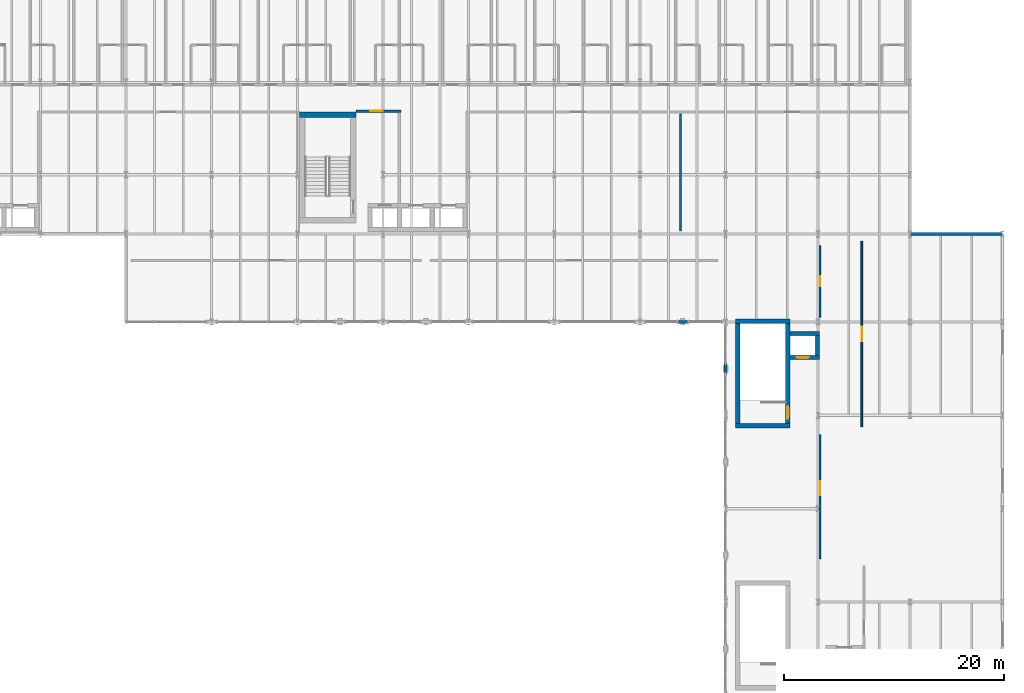
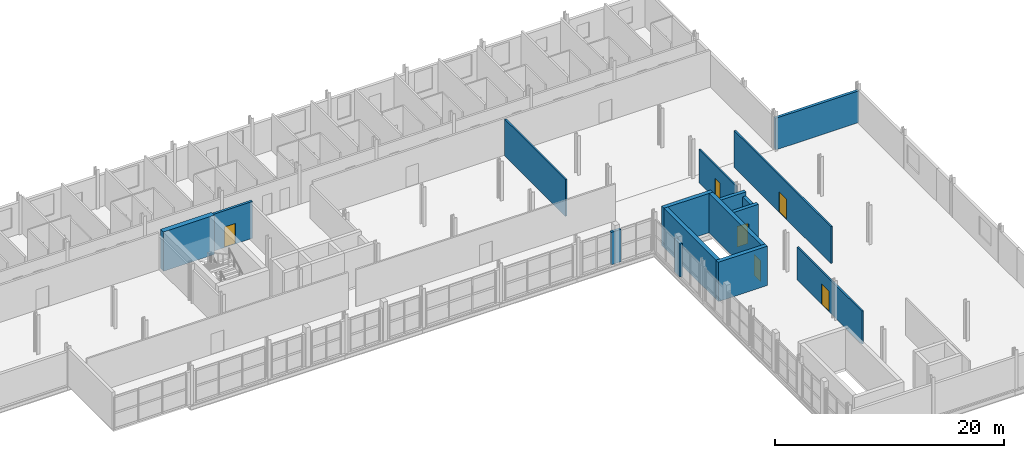
# One storey, part 35 of 45: 16 walls, 6 doors, 6 openings.
"""IFC4 building model written with IfcOpenShell, lengths in metres."""

from ifc_helpers import new_model, si_unit, direction, frame, frame_2d, origin, place, context, subcontext, project, spatial, rectangle, extrude, material, layer, layer_set, type_object, element, fill, save


model = new_model("IFC4")

# Units and contexts
model_context = context("Model", 3, precision=1e-05, world=origin(), true_north=direction((0.0, 1.0)))
body_context = subcontext(model_context, "Body", "Model", "MODEL_VIEW")
ifc_project = project(units=[si_unit("LENGTHUNIT", "METRE"), si_unit("AREAUNIT", "SQUARE_METRE"), si_unit("VOLUMEUNIT", "CUBIC_METRE"), si_unit("PLANEANGLEUNIT", "RADIAN"), si_unit("MASSUNIT", "GRAM", prefix="KILO")], contexts=[model_context])

# Site, building, storey
site_placement = place(None, origin())
site = spatial("IfcSite", under=ifc_project, at=site_placement, CompositionType="ELEMENT")
building_placement = place(site_placement, origin())
building = spatial("IfcBuilding", under=site, at=building_placement, Name="Sefraquen Railside Congress Hotel", CompositionType="ELEMENT")
storey_placement = place(building_placement, frame((0.0, 0.0, 20.39990234375)))
storey = spatial("IfcBuildingStorey", under=building, at=storey_placement, Name="L04", CompositionType="ELEMENT", Elevation=20.39990234375)

# Wall
ifc_material_1 = material(Name="Concrete C50/60", Category="concrete")
ifc_layer_1 = layer(ifc_material_1, 0.35009765625)
ifc_layer_set_1 = layer_set([ifc_layer_1], Name="Concrete C50/60")
wall_type_1 = type_object("IfcWallType", Name="TW-CW-350", PredefinedType="SHEAR", material=ifc_layer_set_1)
wall_1_placement = place(storey_placement, frame((109.06005859375, 86.945068359375, 0.0), z_axis=(0.0, 0.0, 1.0), x_axis=(1.0, 0.0, 0.0)))
element("IfcWall", 1, at=wall_1_placement, inside=storey, type_object=wall_type_1, Name="Lift PL-07 shaft wall N L04", PredefinedType="SHEAR", context=body_context, shape_type="SweptSolid", body=[
    extrude(rectangle(XDim=2.68994140625, YDim=0.35009765625, at=frame_2d((1.344970703125, 0.0))), origin(), (0.0, 0.0, 1.0), 3.940185546875),
])

# Wall, opening, door
wall_2_placement = place(storey_placement, frame((109.06005859375, 84.7548828125, 0.0), z_axis=(0.0, 0.0, 1.0), x_axis=(1.0, 0.0, 0.0)))
wall_2 = element("IfcWall", 2, at=wall_2_placement, inside=storey, type_object=wall_type_1, Name="Lift PL-07 shaft wall S L04", PredefinedType="SHEAR", context=body_context, shape_type="SweptSolid", body=[
    extrude(rectangle(XDim=2.68994140625, YDim=0.35009765625, at=frame_2d((1.344970703125, 0.0))), origin(), (0.0, 0.0, 1.0), 3.940185546875),
])
opening_1_placement = place(wall_2_placement, frame((0.6201171875, 0.0, 0.0)))
opening_1 = element("IfcOpeningElement", 3, at=opening_1_placement, cuts=wall_2, Name="Opening LD-01", PredefinedType="OPENING", context=body_context, shape_type="SweptSolid", body=[
    extrude(rectangle(XDim=1.10009765625, YDim=2.199951171875, at=frame_2d((0.550048828125, 1.10009765625))), frame((0.0, 0.18505859375, 0.0), z_axis=(0.0, -1.0, 0.0), x_axis=(1.0, 0.0, 0.0)), (0.0, 0.0, 1.0), 0.3701171875),
])
ifc_material_2 = material(Name="Brushed bronze stainless steel", Category="steel")
door_type_1 = type_object("IfcDoorType", Name="TD-LD-01", OperationType="NOTDEFINED", PredefinedType="DOOR", material=ifc_material_2)
door_1_placement = place(opening_1_placement, origin())
door_1 = element("IfcDoor", 4, at=door_1_placement, inside=storey, type_object=door_type_1, Name="Lift landing door PL-07 L04", OperationType="SLIDING_TO_LEFT", OverallHeight=2.199951171875, OverallWidth=1.10009765625, PredefinedType="DOOR", context=body_context, shape_type="SweptSolid", body=[
    extrude(rectangle(XDim=1.10009765625, YDim=2.199951171875, at=frame_2d((0.550048828125, 1.10009765625))), frame((0.0, 0.02490234375, 0.0), z_axis=(0.0, -1.0, 0.0), x_axis=(1.0, 0.0, 0.0)), (0.0, 0.0, 1.0), 0.050048828125),
])
fill(opening_1, door_1)

# Walls
wall_3_placement = place(storey_placement, frame((111.574951171875, 84.929931640625, 0.0), z_axis=(0.0, 0.0, 1.0), x_axis=(0.0, 1.0, 0.0)))
element("IfcWall", 5, at=wall_3_placement, inside=storey, type_object=wall_type_1, Name="Lift PL-07 shaft wall E L04", PredefinedType="SHEAR", context=body_context, shape_type="SweptSolid", body=[
    extrude(rectangle(XDim=1.840087890625, YDim=0.35009765625, at=frame_2d((0.919921875, 0.0))), origin(), (0.0, 0.0, 1.0), 3.530029296875),
])
ifc_layer_2 = layer(ifc_material_1, 0.39990234375)
ifc_layer_set_2 = layer_set([ifc_layer_2], Name="Concrete C50/60")
wall_type_2 = type_object("IfcWallType", Name="TW-CW-400", PredefinedType="SHEAR", material=ifc_layer_set_2)
for number, where, z_axis, x_axis, name in (
    (6, (104.10009765625, 88.06201171875, 0.0), (0.0, 0.0, 1.0), (1.0, 0.0, 0.0), "Core shear wall ST-M01 N L04"),
    (7, (104.10009765625, 78.550048828125, 0.0), (0.0, 0.0, 1.0), (1.0, 0.0, 0.0), "Core shear wall ST-M01 S L04"),
):
    element("IfcWall", number, at=place(storey_placement, frame(where, z_axis=z_axis, x_axis=x_axis)), inside=storey, type_object=wall_type_2, Name=name, PredefinedType="SHEAR", context=body_context, shape_type="SweptSolid", body=[
        extrude(rectangle(XDim=4.9599609375, YDim=0.39990234375, at=frame_2d((2.47998046875, 0.0))), origin(), (0.0, 0.0, 1.0), 4.2001953125),
    ])
wall_4_placement = place(storey_placement, frame((104.300048828125, 78.75, 0.0), z_axis=(0.0, 0.0, 1.0), x_axis=(0.0, 1.0, 0.0)))
element("IfcWall", 8, at=wall_4_placement, inside=storey, type_object=wall_type_2, Name="Core shear wall ST-M01 W L04", PredefinedType="SHEAR", context=body_context, shape_type="SweptSolid", body=[
    extrude(rectangle(XDim=9.112060546875, YDim=0.39990234375, at=frame_2d((4.55615234375, 0.0))), origin(), (0.0, 0.0, 1.0), 4.2001953125),
])

# Wall, opening, door
wall_5_placement = place(storey_placement, frame((108.860107421875, 78.75, 0.0), z_axis=(0.0, 0.0, 1.0), x_axis=(0.0, 1.0, 0.0)))
wall_5 = element("IfcWall", 9, at=wall_5_placement, inside=storey, type_object=wall_type_2, Name="Core shear wall ST-M01 E L04", PredefinedType="SHEAR", context=body_context, shape_type="SweptSolid", body=[
    extrude(rectangle(XDim=9.112060546875, YDim=0.39990234375, at=frame_2d((4.55615234375, 0.0))), origin(), (0.0, 0.0, 1.0), 4.2001953125),
])
opening_2_placement = place(wall_5_placement, frame((0.43994140625, 0.0, 0.0)))
opening_2 = element("IfcOpeningElement", 10, at=opening_2_placement, cuts=wall_5, Name="Opening FD-04", PredefinedType="OPENING", context=body_context, shape_type="SweptSolid", body=[
    extrude(rectangle(XDim=1.10009765625, YDim=2.199951171875, at=frame_2d((0.550048828125, 1.10009765625))), frame((0.0, 0.2099609375, 0.0), z_axis=(0.0, -1.0, 0.0), x_axis=(1.0, 0.0, 0.0)), (0.0, 0.0, 1.0), 0.419921875),
])
ifc_material_3 = material(Name="Fire-rated steel", Category="steel")
door_type_2 = type_object("IfcDoorType", Name="TD-FD-04", OperationType="NOTDEFINED", PredefinedType="DOOR", material=ifc_material_3)
door_2_placement = place(opening_2_placement, origin())
door_2 = element("IfcDoor", 11, at=door_2_placement, inside=storey, type_object=door_type_2, Name="Pressurized stair ST-M01 fire door L04", OperationType="SINGLE_SWING_RIGHT", OverallHeight=2.199951171875, OverallWidth=1.10009765625, PredefinedType="DOOR", context=body_context, shape_type="SweptSolid", body=[
    extrude(rectangle(XDim=1.10009765625, YDim=2.199951171875, at=frame_2d((0.550048828125, 1.10009765625))), frame((0.0, 0.02490234375, 0.0), z_axis=(0.0, -1.0, 0.0), x_axis=(1.0, 0.0, 0.0)), (0.0, 0.0, 1.0), 0.050048828125),
])
fill(opening_2, door_2)

# Walls
ifc_layer_3 = layer(ifc_material_1, 0.5)
ifc_layer_set_3 = layer_set([ifc_layer_3], Name="Concrete C50/60")
wall_type_3 = type_object("IfcWallType", Name="TW-CW-500", PredefinedType="SHEAR", material=ifc_layer_set_3)
wall_6_placement = place(storey_placement, frame((64.39990234375, 106.862060546875, 0.0), z_axis=(0.0, 0.0, 1.0), x_axis=(1.0, 0.0, 0.0)))
element("IfcWall", 12, at=wall_6_placement, inside=storey, type_object=wall_type_3, Name="Core shear wall ST-H03 N L04", PredefinedType="SHEAR", context=body_context, shape_type="SweptSolid", body=[
    extrude(rectangle(XDim=5.16015625, YDim=0.5, at=frame_2d((2.580078125, 0.0))), origin(), (0.0, 0.0, 1.0), 4.2001953125),
])
ifc_material_4 = material(Name="Ochre Rabat calcarenite limestone and Concrete C40/50 backing", Category="masonry")
ifc_layer_4 = layer(ifc_material_4, 0.280029296875)
ifc_layer_set_4 = layer_set([ifc_layer_4], Name="Ochre Rabat calcarenite limestone and Concrete C40/50 backing")
wall_type_4 = type_object("IfcWallType", Name="TW-EW-280", PredefinedType="STANDARD", material=ifc_layer_set_4)
wall_7_placement = place(storey_placement, frame((98.820068359375, 88.0, 0.0), z_axis=(0.0, 0.0, 1.0), x_axis=(1.0, 0.0, 0.0)))
element("IfcWall", 13, at=wall_7_placement, inside=storey, type_object=wall_type_4, Name="Meeting Wing L04 courtyard north curtain wall 3 column pier closure 3", PredefinedType="STANDARD", context=body_context, shape_type="SweptSolid", body=[
    extrude(rectangle(XDim=0.9599609375, YDim=0.260009765625, at=frame_2d((0.47998046875, 0.0))), origin(), (0.0, 0.0, 1.0), 3.47998046875),
])
wall_8_placement = place(storey_placement, frame((103.199951171875, 83.27001953125, 0.0), z_axis=(0.0, 0.0, 1.0), x_axis=(0.0, 1.0, 0.0)))
element("IfcWall", 14, at=wall_8_placement, inside=storey, type_object=wall_type_4, Name="Meeting Wing L04 courtyard east curtain wall column pier closure 3", PredefinedType="STANDARD", context=body_context, shape_type="SweptSolid", body=[
    extrude(rectangle(XDim=0.9599609375, YDim=0.260009765625, at=frame_2d((0.47998046875, 0.0))), origin(), (0.0, 0.0, 1.0), 3.530029296875),
])
wall_9_placement = place(storey_placement, frame((120.0, 96.0, 0.0), z_axis=(0.0, 0.0, 1.0), x_axis=(1.0, 0.0, 0.0)))
element("IfcWall", 15, at=wall_9_placement, inside=storey, type_object=wall_type_4, Name="Meeting Wing L04 north return wall", PredefinedType="STANDARD", context=body_context, shape_type="SweptSolid", body=[
    extrude(rectangle(XDim=8.39990234375, YDim=0.280029296875, at=frame_2d((4.199951171875, 0.0))), origin(), (0.0, 0.0, 1.0), 3.380126953125),
])

# Wall, opening, door
ifc_material_5 = material(Name="Concrete C40/50", Category="concrete")
ifc_layer_5 = layer(ifc_material_5, 0.239990234375)
ifc_layer_set_5 = layer_set([ifc_layer_5], Name="Concrete C40/50")
wall_type_5 = type_object("IfcWallType", Name="TW-FW-240", PredefinedType="STANDARD", material=ifc_layer_set_5)
wall_10_placement = place(storey_placement, frame((69.56005859375, 107.199951171875, 0.0), z_axis=(0.0, 0.0, 1.0), x_axis=(1.0, 0.0, 0.0)))
wall_10 = element("IfcWall", 16, at=wall_10_placement, inside=storey, type_object=wall_type_5, Name="Firefighting Lift Lobby FFL-03 EI 120 separation wall L04", PredefinedType="STANDARD", context=body_context, shape_type="SweptSolid", body=[
    extrude(rectangle(XDim=4.099853515625, YDim=0.239990234375, at=frame_2d((2.0498046875, 0.0))), origin(), (0.0, 0.0, 1.0), 3.940185546875),
])
opening_3_placement = place(wall_10_placement, frame((1.300048828125, 0.0, 0.0)))
opening_3 = element("IfcOpeningElement", 17, at=opening_3_placement, cuts=wall_10, Name="Opening FD-04", PredefinedType="OPENING", context=body_context, shape_type="SweptSolid", body=[
    extrude(rectangle(XDim=1.10009765625, YDim=2.199951171875, at=frame_2d((0.550048828125, 1.10009765625))), frame((0.0, 0.1298828125, 0.0), z_axis=(0.0, -1.0, 0.0), x_axis=(1.0, 0.0, 0.0)), (0.0, 0.0, 1.0), 0.260009765625),
])
door_3_placement = place(opening_3_placement, origin())
door_3 = element("IfcDoor", 18, at=door_3_placement, inside=storey, type_object=door_type_2, Name="Firefighting Lift Lobby FFL-03 self-closing fire door L04", OperationType="SINGLE_SWING_RIGHT", OverallHeight=2.199951171875, OverallWidth=1.10009765625, PredefinedType="DOOR", context=body_context, shape_type="SweptSolid", body=[
    extrude(rectangle(XDim=1.10009765625, YDim=2.199951171875, at=frame_2d((0.550048828125, 1.10009765625))), frame((0.0, 0.02490234375, 0.0), z_axis=(0.0, -1.0, 0.0), x_axis=(1.0, 0.0, 0.0)), (0.0, 0.0, 1.0), 0.050048828125),
])
fill(opening_3, door_3)

# Wall
ifc_material_6 = material(Name="Moisture-resistant gypsum board", Category="gypsum")
ifc_layer_6 = layer(ifc_material_6, 0.159912109375)
ifc_layer_set_6 = layer_set([ifc_layer_6], Name="Moisture-resistant gypsum board")
wall_type_6 = type_object("IfcWallType", Name="TW-PW-160", PredefinedType="PARTITIONING", material=ifc_layer_set_6)
wall_11_placement = place(storey_placement, frame((99.10009765625, 96.300048828125, 0.0), z_axis=(0.0, 0.0, 1.0), x_axis=(0.0, 1.0, 0.0)))
element("IfcWall", 19, at=wall_11_placement, inside=storey, type_object=wall_type_6, Name="Breakout seminar divider L04", PredefinedType="PARTITIONING", context=body_context, shape_type="SweptSolid", body=[
    extrude(rectangle(XDim=10.599853515625, YDim=0.159912109375, at=frame_2d((5.2998046875, 0.0))), origin(), (0.0, 0.0, 1.0), 3.940185546875),
])

# Wall, opening, door
wall_12_placement = place(storey_placement, frame((111.800048828125, 66.449951171875, 0.0), z_axis=(0.0, 0.0, 1.0), x_axis=(0.0, 1.0, 0.0)))
wall_12 = element("IfcWall", 20, at=wall_12_placement, inside=storey, type_object=wall_type_6, Name="Seminar Suite 07 enclosure wall", PredefinedType="PARTITIONING", context=body_context, shape_type="SweptSolid", body=[
    extrude(rectangle(XDim=11.300048828125, YDim=0.159912109375, at=frame_2d((5.64990234375, 0.0))), origin(), (0.0, 0.0, 1.0), 3.530029296875),
])
opening_4_placement = place(wall_12_placement, frame((5.75, 0.0, 0.0)))
opening_4 = element("IfcOpeningElement", 21, at=opening_4_placement, cuts=wall_12, Name="Opening MD-02", PredefinedType="OPENING", context=body_context, shape_type="SweptSolid", body=[
    extrude(rectangle(XDim=1.300048828125, YDim=2.199951171875, at=frame_2d((0.64990234375, 1.10009765625))), frame((0.0, 0.08984375, 0.0), z_axis=(0.0, -1.0, 0.0), x_axis=(1.0, 0.0, 0.0)), (0.0, 0.0, 1.0), 0.179931640625),
])
ifc_material_7 = material(Name="Acoustic cedar veneer", Category="wood")
door_type_3 = type_object("IfcDoorType", Name="TD-MD-02", OperationType="NOTDEFINED", PredefinedType="DOOR", material=ifc_material_7)
door_4_placement = place(opening_4_placement, origin())
door_4 = element("IfcDoor", 22, at=door_4_placement, inside=storey, type_object=door_type_3, Name="Seminar Suite 07 entrance door", OperationType="SINGLE_SWING_RIGHT", OverallHeight=2.199951171875, OverallWidth=1.300048828125, PredefinedType="DOOR", context=body_context, shape_type="SweptSolid", body=[
    extrude(rectangle(XDim=1.300048828125, YDim=2.199951171875, at=frame_2d((0.64990234375, 1.10009765625))), frame((0.0, 0.02490234375, 0.0), z_axis=(0.0, -1.0, 0.0), x_axis=(1.0, 0.0, 0.0)), (0.0, 0.0, 1.0), 0.050048828125),
])
fill(opening_4, door_4)

wall_13_placement = place(storey_placement, frame((115.60009765625, 78.449951171875, 0.0), z_axis=(0.0, 0.0, 1.0), x_axis=(0.0, 1.0, 0.0)))
wall_13 = element("IfcWall", 23, at=wall_13_placement, inside=storey, type_object=wall_type_6, Name="Seminar Suite 08 enclosure wall", PredefinedType="PARTITIONING", context=body_context, shape_type="SweptSolid", body=[
    extrude(rectangle(XDim=16.900146484375, YDim=0.159912109375, at=frame_2d((8.4501953125, 0.0))), origin(), (0.0, 0.0, 1.0), 3.940185546875),
])
opening_5_placement = place(wall_13_placement, frame((7.800048828125, 0.0, 0.0)))
opening_5 = element("IfcOpeningElement", 24, at=opening_5_placement, cuts=wall_13, Name="Opening MD-02", PredefinedType="OPENING", context=body_context, shape_type="SweptSolid", body=[
    extrude(rectangle(XDim=1.300048828125, YDim=2.199951171875, at=frame_2d((0.64990234375, 1.10009765625))), frame((0.0, 0.08984375, 0.0), z_axis=(0.0, -1.0, 0.0), x_axis=(1.0, 0.0, 0.0)), (0.0, 0.0, 1.0), 0.179931640625),
])
door_5_placement = place(opening_5_placement, origin())
door_5 = element("IfcDoor", 25, at=door_5_placement, inside=storey, type_object=door_type_3, Name="Seminar Suite 08 entrance door", OperationType="SINGLE_SWING_LEFT", OverallHeight=2.199951171875, OverallWidth=1.300048828125, PredefinedType="DOOR", context=body_context, shape_type="SweptSolid", body=[
    extrude(rectangle(XDim=1.300048828125, YDim=2.199951171875, at=frame_2d((0.64990234375, 1.10009765625))), frame((0.0, 0.02490234375, 0.0), z_axis=(0.0, -1.0, 0.0), x_axis=(1.0, 0.0, 0.0)), (0.0, 0.0, 1.0), 0.050048828125),
])
fill(opening_5, door_5)

wall_14_placement = place(storey_placement, frame((111.800048828125, 88.449951171875, 0.0), z_axis=(0.0, 0.0, 1.0), x_axis=(0.0, 1.0, 0.0)))
wall_14 = element("IfcWall", 26, at=wall_14_placement, inside=storey, type_object=wall_type_6, Name="Meeting Wing L04 Accessible WC enclosure wall", PredefinedType="PARTITIONING", context=body_context, shape_type="SweptSolid", body=[
    extrude(rectangle(XDim=6.5, YDim=0.159912109375, at=frame_2d((3.25, 0.0))), origin(), (0.0, 0.0, 1.0), 3.530029296875),
])
opening_6_placement = place(wall_14_placement, frame((2.780029296875, 0.0, 0.0)))
opening_6 = element("IfcOpeningElement", 27, at=opening_6_placement, cuts=wall_14, Name="Opening ID-01", PredefinedType="OPENING", context=body_context, shape_type="SweptSolid", body=[
    extrude(rectangle(XDim=0.93994140625, YDim=2.14990234375, at=frame_2d((0.469970703125, 1.074951171875))), frame((0.0, 0.08984375, 0.0), z_axis=(0.0, -1.0, 0.0), x_axis=(1.0, 0.0, 0.0)), (0.0, 0.0, 1.0), 0.179931640625),
])
ifc_material_8 = material(Name="Lacquered cedar joinery", Category="wood")
door_type_4 = type_object("IfcDoorType", Name="TD-ID-01", OperationType="NOTDEFINED", PredefinedType="DOOR", material=ifc_material_8)
door_6_placement = place(opening_6_placement, origin())
door_6 = element("IfcDoor", 28, at=door_6_placement, inside=storey, type_object=door_type_4, Name="Meeting Wing L04 Accessible WC entrance door", OperationType="SINGLE_SWING_RIGHT", OverallHeight=2.14990234375, OverallWidth=0.93994140625, PredefinedType="DOOR", context=body_context, shape_type="SweptSolid", body=[
    extrude(rectangle(XDim=0.93994140625, YDim=2.14990234375, at=frame_2d((0.469970703125, 1.074951171875))), frame((0.0, 0.02490234375, 0.0), z_axis=(0.0, -1.0, 0.0), x_axis=(1.0, 0.0, 0.0)), (0.0, 0.0, 1.0), 0.050048828125),
])
fill(opening_6, door_6)

save(model, "model.ifc")
